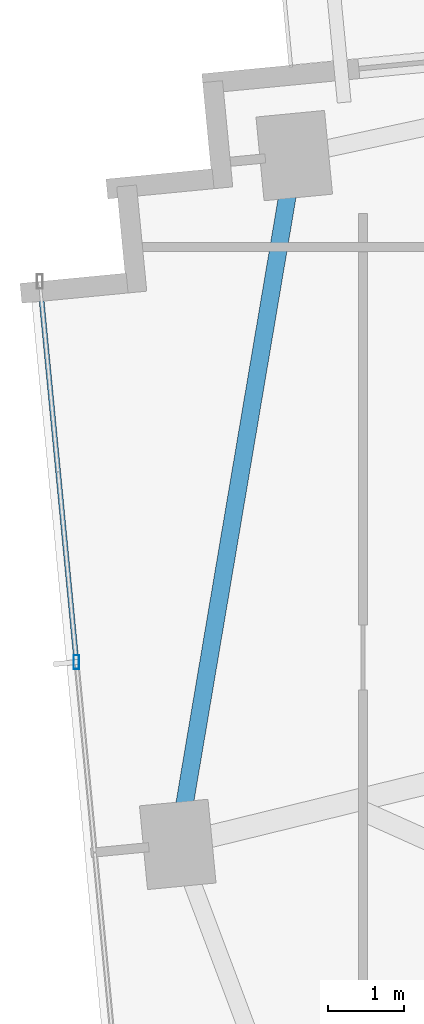
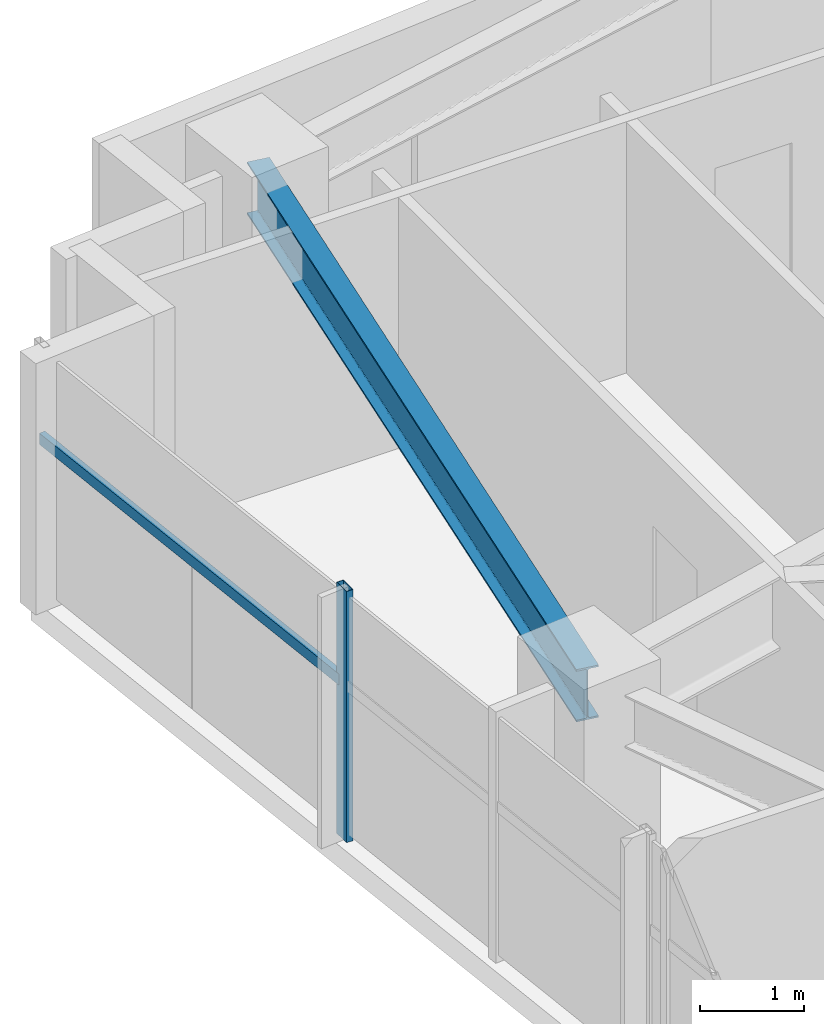
# One storey, part 4 of 25: 2 members, 1 beam, 1 element without a shape of its own.
"""IFC4 building model written with IfcOpenShell, lengths in metres."""

from ifc_helpers import new_model, si_unit, direction, frame, origin, origin_2d, place, context, subcontext, project, spatial, hollow_rectangle, i_section, extrude, source, transform, mapped, material, material_profile, profile_set, type_object, type_shapes, element, aggregate, save


model = new_model("IFC4")

# Units and contexts
model_context = context("Model", 3, precision=1e-05, world=origin(), true_north=direction((0.0, 1.0)))
body_context = subcontext(model_context, "Body", "Model", "MODEL_VIEW")
ifc_project = project(units=[si_unit("LENGTHUNIT", "METRE"), si_unit("AREAUNIT", "SQUARE_METRE"), si_unit("VOLUMEUNIT", "CUBIC_METRE"), si_unit("PLANEANGLEUNIT", "RADIAN"), si_unit("MASSUNIT", "GRAM", prefix="KILO")], contexts=[model_context])

# Site, building, storey
site_placement = place(None, origin())
site = spatial("IfcSite", under=ifc_project, at=site_placement, CompositionType="ELEMENT")
building_placement = place(site_placement, origin())
building = spatial("IfcBuilding", under=site, at=building_placement, Name="Astriad Promenade Condominiums", CompositionType="ELEMENT")
storey_placement = place(building_placement, frame((0.0, 0.0, 100.199951171875)))
storey = spatial("IfcBuildingStorey", under=building, at=storey_placement, Name="L28", CompositionType="ELEMENT", Elevation=100.199951171875)

# Beam
ifc_material_1 = material(Name="Steel ASTM A992 Grade 50", Category="steel")
ifc_material_profile_1 = material_profile(ifc_material_1, i_section(OverallWidth=0.22900390625, OverallDepth=0.612060546875, WebThickness=0.011962890625, FlangeThickness=0.01953125, FilletRadius=0.017822265625, at=origin_2d()), Name="W24X84")
ifc_profile_set_1 = profile_set([ifc_material_profile_1], Name="Steel ASTM A992 Grade 50")
beam_type = type_object("IfcBeamType", Name="STEEL SPANDREL BEAM W24X84", PredefinedType="SPANDREL", material=ifc_profile_set_1)
shared_shape_1 = source(origin(), body_context, "Body", "SweptSolid", [
    extrude(i_section(OverallWidth=0.22900390625, OverallDepth=0.612060546875, WebThickness=0.011962890625, FlangeThickness=0.01953125, FilletRadius=0.017822265625, at=origin_2d()), origin(), (0.0, 0.0, 1.0), 9.055419921875),
])
type_shapes(beam_type, [shared_shape_1])
beam_placement = place(storey_placement, frame((12.2685546875, 22.52880859375, 2.634033203125), z_axis=(-0.166776851291, -0.98599466625, 0.0), x_axis=(0.98599466625, -0.166776851291, 0.0)))
element("IfcBeam", 1, at=beam_placement, inside=storey, type_object=beam_type, Name="Perimeter Spandrel Beam SP-W2-L28", PredefinedType="SPANDREL", context=body_context, shape_type="MappedRepresentation", body=[
    mapped(shared_shape_1, transform((0.0, 0.0, 0.0), scale=1.0)),
])

# Curtain wall, members
ifc_material_2 = material(Name="Anodised aluminium Black Dark Glass Unitised", Category="aluminium")
curtain_wall_type = type_object("IfcCurtainWallType", Name="CW-B2-DARK", PredefinedType="USERDEFINED", material=ifc_material_2)
curtain_wall_placement = place(storey_placement, origin())
curtain_wall = element("IfcCurtainWall", 2, at=curtain_wall_placement, inside=storey, type_object=curtain_wall_type, Name="CW-L28-W", ObjectType="UNITISED_CURTAIN_WALL", PredefinedType="USERDEFINED")
ifc_material_3 = material(Name="Anodised aluminium 6063-T6 Black", Category="aluminium")
ifc_material_profile_2 = material_profile(ifc_material_3, hollow_rectangle(XDim=0.074951171875, YDim=0.18505859375, WallThickness=0.00439453125, at=origin_2d()), Name="ALU-MUL-75X185")
ifc_profile_set_2 = profile_set([ifc_material_profile_2], Name="Anodised aluminium 6063-T6 Black")
member_type_1 = type_object("IfcMemberType", Name="MUL-ALU-MUL-75X185", PredefinedType="MULLION", material=ifc_profile_set_2)
shared_shape_2 = source(origin(), body_context, "Body", "SweptSolid", [
    extrude(hollow_rectangle(XDim=0.074951171875, YDim=0.18505859375, WallThickness=0.00439453125, at=origin_2d()), origin(), (0.0, 0.0, 1.0), 2.93994140625),
])
type_shapes(member_type_1, [shared_shape_2])
member_1_placement = place(storey_placement, frame((9.427001953125, 15.94482421875, 0.0), z_axis=(0.0, 0.0, 1.0), x_axis=(1.0, 0.0, 0.0)))
member_1 = element("IfcMember", 3, at=member_1_placement, type_object=member_type_1, Name="CW-L28-W-MUL-02", PredefinedType="MULLION", context=body_context, shape_type="MappedRepresentation", body=[
    mapped(shared_shape_2, transform((0.0, 0.0, 0.0), scale=1.0)),
])
ifc_material_profile_3 = material_profile(ifc_material_3, hollow_rectangle(XDim=0.06494140625, YDim=0.1298828125, WallThickness=0.00390625, at=origin_2d()), Name="ALU-TRN-65X130")
ifc_profile_set_3 = profile_set([ifc_material_profile_3], Name="Anodised aluminium 6063-T6 Black")
member_type_2 = type_object("IfcMemberType", Name="TRN-ALU-TRN-65X130", PredefinedType="USERDEFINED", material=ifc_profile_set_3)
shared_shape_3 = source(origin(), body_context, "Body", "SweptSolid", [
    extrude(hollow_rectangle(XDim=0.06494140625, YDim=0.1298828125, WallThickness=0.00390625, at=origin_2d()), origin(), (0.0, 0.0, 1.0), 5.0),
])
type_shapes(member_type_2, [shared_shape_3])
member_2_placement = place(storey_placement, frame((9.427001953125, 15.94482421875, 1.82275390625), z_axis=(-0.095848242264, 0.995395958629, 0.0), x_axis=(-0.995395958629, -0.095848242264, 0.0)))
member_2 = element("IfcMember", 4, at=member_2_placement, type_object=member_type_2, Name="CW-L28-W-TRN-02-0", ObjectType="TRANSOM", PredefinedType="USERDEFINED", context=body_context, shape_type="MappedRepresentation", body=[
    mapped(shared_shape_3, transform((0.0, 0.0, 0.0), scale=1.0)),
])
aggregate(curtain_wall, [member_1, member_2])

save(model, "model.ifc")
